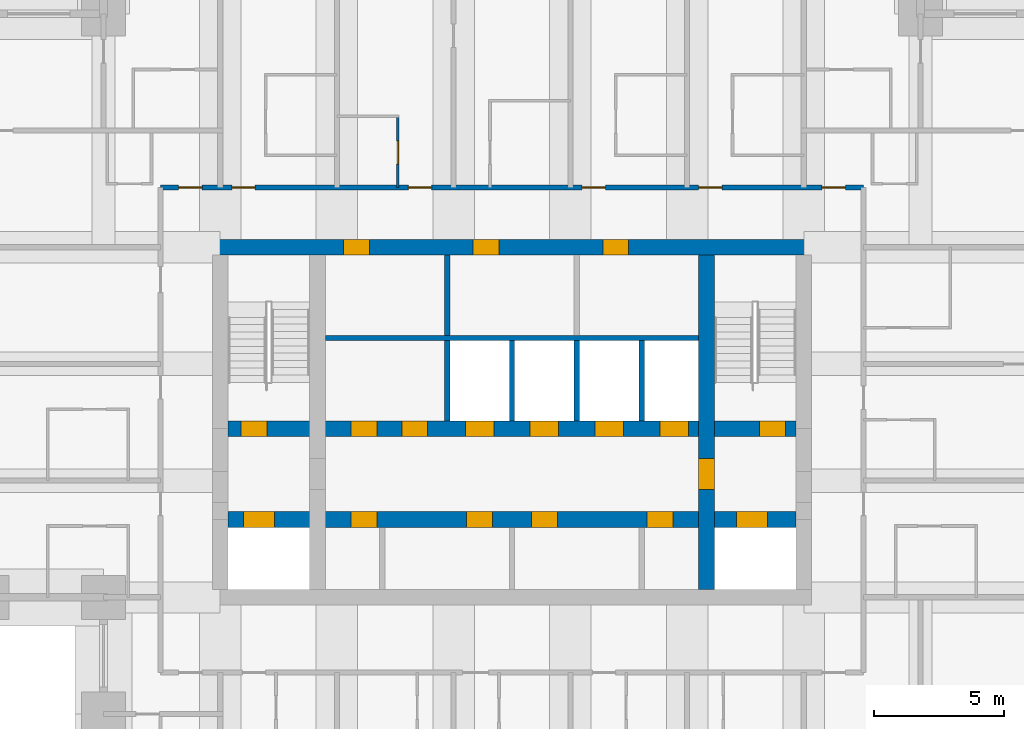
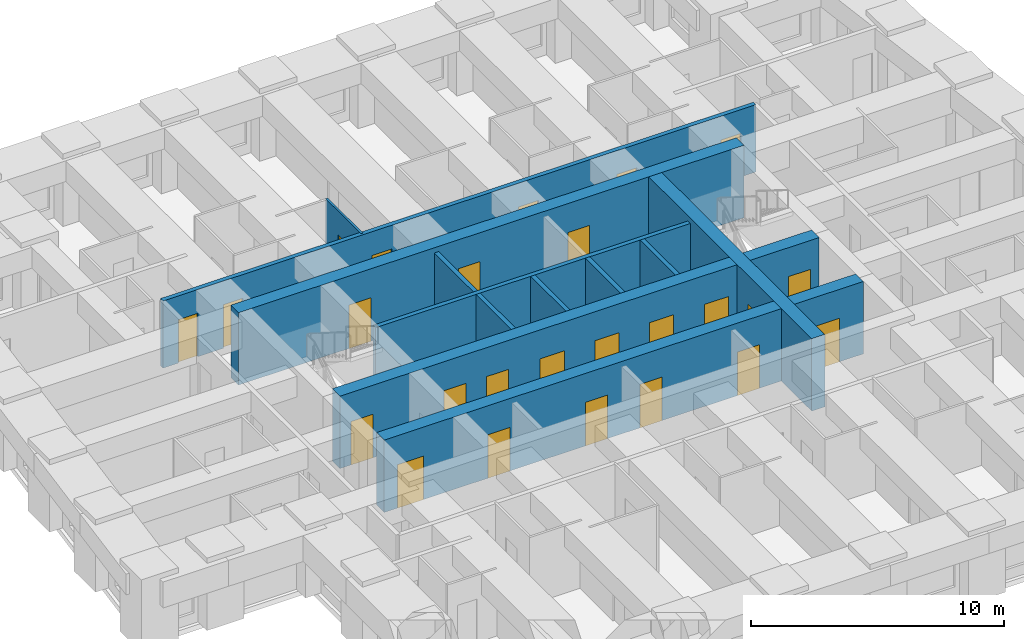
# One storey, part 4 of 8: 25 doors, 12 walls, 25 openings.
"""IFC4 building model written with IfcOpenShell, lengths in metres."""

from ifc_helpers import new_model, si_unit, direction, frame, frame_2d, origin, place, context, subcontext, project, spatial, rectangle, extrude, material, layer, layer_set, type_object, element, fill, save


model = new_model("IFC4")

# Units and contexts
model_context = context("Model", 3, precision=1e-05, world=origin(), true_north=direction((0.0, 1.0)))
body_context = subcontext(model_context, "Body", "Model", "MODEL_VIEW")
ifc_project = project(units=[si_unit("LENGTHUNIT", "METRE"), si_unit("AREAUNIT", "SQUARE_METRE"), si_unit("VOLUMEUNIT", "CUBIC_METRE"), si_unit("PLANEANGLEUNIT", "RADIAN"), si_unit("MASSUNIT", "GRAM", prefix="KILO")], contexts=[model_context])

# Site, building, storey
site_placement = place(None, origin())
site = spatial("IfcSite", under=ifc_project, at=site_placement, CompositionType="ELEMENT")
building_placement = place(site_placement, origin())
building = spatial("IfcBuilding", under=site, at=building_placement, Name="Kilele Tower Hotel", CompositionType="ELEMENT")
storey_placement = place(building_placement, frame((0.0, 0.0, 162.39990234375)))
storey = spatial("IfcBuildingStorey", under=building, at=storey_placement, Name="L41", CompositionType="ELEMENT", Elevation=162.39990234375)

# Wall, opening, door
ifc_material_1 = material(Name="Moisture-resistant board")
ifc_layer_1 = layer(ifc_material_1, 0.10009765625)
ifc_layer_set_1 = layer_set([ifc_layer_1], Name="Moisture-resistant board")
wall_type_1 = type_object("IfcWallType", Name="Bathroom partition 100", PredefinedType="PLUMBINGWALL", material=ifc_layer_set_1)
wall_1_placement = place(storey_placement, frame((20.35009765625, 29.300048828125, 0.0), z_axis=(0.0, 0.0, 1.0), x_axis=(0.0, 1.0, 0.0)))
wall_1 = element("IfcWall", 1, at=wall_1_placement, inside=storey, type_object=wall_type_1, Name="Bathroom partition 100 L41", PredefinedType="PLUMBINGWALL", context=body_context, shape_type="SweptSolid", body=[
    extrude(rectangle(XDim=2.800048828125, YDim=0.10009765625, at=frame_2d((1.39990234375, 0.0))), origin(), (0.0, 0.0, 1.0), 3.25),
])
opening_1_placement = place(wall_1_placement, frame((1.7998046875, 0.0, 0.0), z_axis=(0.0, 0.0, 1.0), x_axis=(-1.0, 0.0, 0.0)))
opening_1 = element("IfcOpeningElement", 2, at=opening_1_placement, cuts=wall_1, Name="Opening D2A", PredefinedType="OPENING", context=body_context, shape_type="SweptSolid", body=[
    extrude(rectangle(XDim=0.89990234375, YDim=2.10009765625, at=frame_2d((0.449951171875, 1.050048828125))), frame((0.0, 0.06005859375, 0.0), z_axis=(0.0, -1.0, 0.0), x_axis=(1.0, 0.0, 0.0)), (0.0, 0.0, 1.0), 0.1201171875),
])
ifc_material_2 = material(Name="Timber door leaf in hardwood frame", Category="wood")
door_type_1 = type_object("IfcDoorType", Name="Bathroom door 900", OperationType="SINGLE_SWING_LEFT", PredefinedType="DOOR", material=ifc_material_2)
door_1_placement = place(opening_1_placement, origin())
door_1 = element("IfcDoor", 3, at=door_1_placement, inside=storey, type_object=door_type_1, Name="Bathroom door 4110B", OperationType="SINGLE_SWING_RIGHT", OverallHeight=2.10009765625, OverallWidth=0.89990234375, PredefinedType="DOOR", context=body_context, shape_type="SweptSolid", body=[
    extrude(rectangle(XDim=0.89990234375, YDim=2.10009765625, at=frame_2d((0.449951171875, 1.050048828125))), frame((0.0, 0.02490234375, 0.0), z_axis=(0.0, -1.0, 0.0), x_axis=(1.0, 0.0, 0.0)), (0.0, 0.0, 1.0), 0.050048828125),
])
fill(opening_1, door_1)

# Wall, openings, doors
ifc_material_3 = material(Name="Concrete C70/85", Category="concrete")
ifc_layer_2 = layer(ifc_material_3, 0.60009765625)
ifc_layer_set_2 = layer_set([ifc_layer_2], Name="Concrete C70/85")
wall_type_2 = type_object("IfcWallType", Name="Core wall 600 C70/85", PredefinedType="SHEAR", material=ifc_layer_set_2)
wall_2_placement = place(storey_placement, frame((36.300048828125, 27.0, 0.0), z_axis=(0.0, 0.0, 1.0), x_axis=(-1.0, 0.0, 0.0)))
wall_2 = element("IfcWall", 4, at=wall_2_placement, inside=storey, type_object=wall_type_2, Name="Core wall N L41", PredefinedType="SHEAR", context=body_context, shape_type="SweptSolid", body=[
    extrude(rectangle(XDim=23.10009765625, YDim=0.60009765625, at=frame_2d((11.550048828125, 0.0))), origin(), (0.0, 0.0, 1.0), 3.5),
])
opening_2_placement = place(wall_2_placement, frame((17.050048828125, 0.0, 0.0)))
opening_2 = element("IfcOpeningElement", 5, at=opening_2_placement, cuts=wall_2, Name="Opening D6", PredefinedType="OPENING", context=body_context, shape_type="SweptSolid", body=[
    extrude(rectangle(XDim=1.0, YDim=2.10009765625, at=frame_2d((0.5, 1.050048828125))), frame((0.0, 0.31005859375, 0.0), z_axis=(0.0, -1.0, 0.0), x_axis=(1.0, 0.0, 0.0)), (0.0, 0.0, 1.0), 0.6201171875),
])
opening_3_placement = place(wall_2_placement, frame((12.050048828125, 0.0, 0.0)))
opening_3 = element("IfcOpeningElement", 6, at=opening_3_placement, cuts=wall_2, Name="Opening D6", PredefinedType="OPENING", context=body_context, shape_type="SweptSolid", body=[
    extrude(rectangle(XDim=1.0, YDim=2.10009765625, at=frame_2d((0.5, 1.050048828125))), frame((0.0, 0.31005859375, 0.0), z_axis=(0.0, -1.0, 0.0), x_axis=(1.0, 0.0, 0.0)), (0.0, 0.0, 1.0), 0.6201171875),
])
opening_4_placement = place(wall_2_placement, frame((7.050048828125, 0.0, 0.0)))
opening_4 = element("IfcOpeningElement", 7, at=opening_4_placement, cuts=wall_2, Name="Opening D6", PredefinedType="OPENING", context=body_context, shape_type="SweptSolid", body=[
    extrude(rectangle(XDim=1.0, YDim=2.10009765625, at=frame_2d((0.5, 1.050048828125))), frame((0.0, 0.31005859375, 0.0), z_axis=(0.0, -1.0, 0.0), x_axis=(1.0, 0.0, 0.0)), (0.0, 0.0, 1.0), 0.6201171875),
])
ifc_material_4 = material(Name="Timber door leaf in hardwood frame", Category="wood")
door_type_2 = type_object("IfcDoorType", Name="Riser door 1000", OperationType="SINGLE_SWING_LEFT", PredefinedType="DOOR", material=ifc_material_4)
door_2_placement = place(opening_2_placement, origin())
door_2 = element("IfcDoor", 8, at=door_2_placement, inside=storey, type_object=door_type_2, Name="Service riser door L41", OperationType="SINGLE_SWING_RIGHT", OverallHeight=2.10009765625, OverallWidth=1.0, PredefinedType="DOOR", context=body_context, shape_type="SweptSolid", body=[
    extrude(rectangle(XDim=1.0, YDim=2.10009765625, at=frame_2d((0.5, 1.050048828125))), frame((0.0, 0.2998046875, 0.0), z_axis=(0.0, -1.0, 0.0), x_axis=(1.0, 0.0, 0.0)), (0.0, 0.0, 1.0), 0.599609375),
])
fill(opening_2, door_2)
door_3_placement = place(opening_3_placement, origin())
door_3 = element("IfcDoor", 9, at=door_3_placement, inside=storey, type_object=door_type_2, Name="Staff WC door L41", OperationType="SINGLE_SWING_RIGHT", OverallHeight=2.10009765625, OverallWidth=1.0, PredefinedType="DOOR", context=body_context, shape_type="SweptSolid", body=[
    extrude(rectangle(XDim=1.0, YDim=2.10009765625, at=frame_2d((0.5, 1.050048828125))), frame((0.0, 0.2998046875, 0.0), z_axis=(0.0, -1.0, 0.0), x_axis=(1.0, 0.0, 0.0)), (0.0, 0.0, 1.0), 0.599609375),
])
fill(opening_3, door_3)
door_4_placement = place(opening_4_placement, origin())
door_4 = element("IfcDoor", 10, at=door_4_placement, inside=storey, type_object=door_type_2, Name="Electrical riser door L41", OperationType="SINGLE_SWING_RIGHT", OverallHeight=2.10009765625, OverallWidth=1.0, PredefinedType="DOOR", context=body_context, shape_type="SweptSolid", body=[
    extrude(rectangle(XDim=1.0, YDim=2.10009765625, at=frame_2d((0.5, 1.050048828125))), frame((0.0, 0.2998046875, 0.0), z_axis=(0.0, -1.0, 0.0), x_axis=(1.0, 0.0, 0.0)), (0.0, 0.0, 1.0), 0.599609375),
])
fill(opening_4, door_4)

# Wall, opening, door
wall_3_placement = place(storey_placement, frame((32.25, 13.800048828125, 0.0), z_axis=(0.0, 0.0, 1.0), x_axis=(0.0, 1.0, 0.0)))
wall_3 = element("IfcWall", 11, at=wall_3_placement, inside=storey, type_object=wall_type_2, Name="Core wall IE L41", PredefinedType="SHEAR", context=body_context, shape_type="SweptSolid", body=[
    extrude(rectangle(XDim=12.89990234375, YDim=0.60009765625, at=frame_2d((6.449951171875, 0.0))), origin(), (0.0, 0.0, 1.0), 3.5),
])
opening_5_placement = place(wall_3_placement, frame((5.050048828125, 0.0, 0.0), z_axis=(0.0, 0.0, 1.0), x_axis=(-1.0, 0.0, 0.0)))
opening_5 = element("IfcOpeningElement", 12, at=opening_5_placement, cuts=wall_3, Name="Opening D4", PredefinedType="OPENING", context=body_context, shape_type="SweptSolid", body=[
    extrude(rectangle(XDim=1.199951171875, YDim=2.10009765625, at=frame_2d((0.60009765625, 1.050048828125))), frame((0.0, 0.31005859375, 0.0), z_axis=(0.0, -1.0, 0.0), x_axis=(1.0, 0.0, 0.0)), (0.0, 0.0, 1.0), 0.6201171875),
])
ifc_material_5 = material(Name="Timber door leaf in hardwood frame", Category="wood")
door_type_3 = type_object("IfcDoorType", Name="Firefighting lobby door 1200", OperationType="SINGLE_SWING_LEFT", PredefinedType="DOOR", material=ifc_material_5)
door_5_placement = place(opening_5_placement, origin())
door_5 = element("IfcDoor", 13, at=door_5_placement, inside=storey, type_object=door_type_3, Name="Lobby door L41", OperationType="SINGLE_SWING_RIGHT", OverallHeight=2.10009765625, OverallWidth=1.199951171875, PredefinedType="DOOR", context=body_context, shape_type="SweptSolid", body=[
    extrude(rectangle(XDim=1.199951171875, YDim=2.10009765625, at=frame_2d((0.60009765625, 1.050048828125))), frame((0.0, 0.2998046875, 0.0), z_axis=(0.0, -1.0, 0.0), x_axis=(1.0, 0.0, 0.0)), (0.0, 0.0, 1.0), 0.599609375),
])
fill(opening_5, door_5)

# Wall, openings, doors
wall_4_placement = place(storey_placement, frame((13.800048828125, 16.5, 0.0), z_axis=(0.0, 0.0, 1.0), x_axis=(1.0, 0.0, 0.0)))
wall_4 = element("IfcWall", 14, at=wall_4_placement, inside=storey, type_object=wall_type_2, Name="Core wall LS L41", PredefinedType="SHEAR", context=body_context, shape_type="SweptSolid", body=[
    extrude(rectangle(XDim=21.89990234375, YDim=0.60009765625, at=frame_2d((10.949951171875, 0.0))), origin(), (0.0, 0.0, 1.0), 3.5),
])
opening_6_placement = place(wall_4_placement, frame((5.75, 0.0, 0.0), z_axis=(0.0, 0.0, 1.0), x_axis=(-1.0, 0.0, 0.0)))
opening_6 = element("IfcOpeningElement", 15, at=opening_6_placement, cuts=wall_4, Name="Opening D11", PredefinedType="OPENING", context=body_context, shape_type="SweptSolid", body=[
    extrude(rectangle(XDim=1.0, YDim=2.10009765625, at=frame_2d((0.5, 1.050048828125))), frame((0.0, 0.31005859375, 0.0), z_axis=(0.0, -1.0, 0.0), x_axis=(1.0, 0.0, 0.0)), (0.0, 0.0, 1.0), 0.6201171875),
])
opening_7_placement = place(wall_4_placement, frame((10.199951171875, 0.0, 0.0), z_axis=(0.0, 0.0, 1.0), x_axis=(-1.0, 0.0, 0.0)))
opening_7 = element("IfcOpeningElement", 16, at=opening_7_placement, cuts=wall_4, Name="Opening D11", PredefinedType="OPENING", context=body_context, shape_type="SweptSolid", body=[
    extrude(rectangle(XDim=1.0, YDim=2.10009765625, at=frame_2d((0.5, 1.050048828125))), frame((0.0, 0.31005859375, 0.0), z_axis=(0.0, -1.0, 0.0), x_axis=(1.0, 0.0, 0.0)), (0.0, 0.0, 1.0), 0.6201171875),
])
opening_8_placement = place(wall_4_placement, frame((12.699951171875, 0.0, 0.0), z_axis=(0.0, 0.0, 1.0), x_axis=(-1.0, 0.0, 0.0)))
opening_8 = element("IfcOpeningElement", 17, at=opening_8_placement, cuts=wall_4, Name="Opening D11", PredefinedType="OPENING", context=body_context, shape_type="SweptSolid", body=[
    extrude(rectangle(XDim=1.0, YDim=2.10009765625, at=frame_2d((0.5, 1.050048828125))), frame((0.0, 0.31005859375, 0.0), z_axis=(0.0, -1.0, 0.0), x_axis=(1.0, 0.0, 0.0)), (0.0, 0.0, 1.0), 0.6201171875),
])
opening_9_placement = place(wall_4_placement, frame((17.14990234375, 0.0, 0.0), z_axis=(0.0, 0.0, 1.0), x_axis=(-1.0, 0.0, 0.0)))
opening_9 = element("IfcOpeningElement", 18, at=opening_9_placement, cuts=wall_4, Name="Opening D11", PredefinedType="OPENING", context=body_context, shape_type="SweptSolid", body=[
    extrude(rectangle(XDim=1.0, YDim=2.10009765625, at=frame_2d((0.5, 1.050048828125))), frame((0.0, 0.31005859375, 0.0), z_axis=(0.0, -1.0, 0.0), x_axis=(1.0, 0.0, 0.0)), (0.0, 0.0, 1.0), 0.6201171875),
])
opening_10_placement = place(wall_4_placement, frame((0.60009765625, 0.0, 0.0)))
opening_10 = element("IfcOpeningElement", 19, at=opening_10_placement, cuts=wall_4, Name="Opening LD2", PredefinedType="OPENING", context=body_context, shape_type="SweptSolid", body=[
    extrude(rectangle(XDim=1.199951171875, YDim=2.10009765625, at=frame_2d((0.60009765625, 1.050048828125))), frame((0.0, 0.31005859375, 0.0), z_axis=(0.0, -1.0, 0.0), x_axis=(1.0, 0.0, 0.0)), (0.0, 0.0, 1.0), 0.6201171875),
])
opening_11_placement = place(wall_4_placement, frame((19.60009765625, 0.0, 0.0)))
opening_11 = element("IfcOpeningElement", 20, at=opening_11_placement, cuts=wall_4, Name="Opening LD2", PredefinedType="OPENING", context=body_context, shape_type="SweptSolid", body=[
    extrude(rectangle(XDim=1.199951171875, YDim=2.10009765625, at=frame_2d((0.60009765625, 1.050048828125))), frame((0.0, 0.31005859375, 0.0), z_axis=(0.0, -1.0, 0.0), x_axis=(1.0, 0.0, 0.0)), (0.0, 0.0, 1.0), 0.6201171875),
])
ifc_material_6 = material(Name="Timber door leaf in hardwood frame", Category="wood")
door_type_4 = type_object("IfcDoorType", Name="Core store door 1000", OperationType="SINGLE_SWING_LEFT", PredefinedType="DOOR", material=ifc_material_6)
door_6_placement = place(opening_6_placement, origin())
door_6 = element("IfcDoor", 21, at=door_6_placement, inside=storey, type_object=door_type_4, Name="Core room door L1 L41", OperationType="SINGLE_SWING_LEFT", OverallHeight=2.10009765625, OverallWidth=1.0, PredefinedType="DOOR", context=body_context, shape_type="SweptSolid", body=[
    extrude(rectangle(XDim=1.0, YDim=2.10009765625, at=frame_2d((0.5, 1.050048828125))), frame((0.0, 0.2998046875, 0.0), z_axis=(0.0, -1.0, 0.0), x_axis=(1.0, 0.0, 0.0)), (0.0, 0.0, 1.0), 0.599609375),
])
fill(opening_6, door_6)
door_7_placement = place(opening_7_placement, origin())
door_7 = element("IfcDoor", 22, at=door_7_placement, inside=storey, type_object=door_type_4, Name="Core room door L3 L41", OperationType="SINGLE_SWING_LEFT", OverallHeight=2.10009765625, OverallWidth=1.0, PredefinedType="DOOR", context=body_context, shape_type="SweptSolid", body=[
    extrude(rectangle(XDim=1.0, YDim=2.10009765625, at=frame_2d((0.5, 1.050048828125))), frame((0.0, 0.2998046875, 0.0), z_axis=(0.0, -1.0, 0.0), x_axis=(1.0, 0.0, 0.0)), (0.0, 0.0, 1.0), 0.599609375),
])
fill(opening_7, door_7)
door_8_placement = place(opening_8_placement, origin())
door_8 = element("IfcDoor", 23, at=door_8_placement, inside=storey, type_object=door_type_4, Name="Core room door M1 L41", OperationType="SINGLE_SWING_RIGHT", OverallHeight=2.10009765625, OverallWidth=1.0, PredefinedType="DOOR", context=body_context, shape_type="SweptSolid", body=[
    extrude(rectangle(XDim=1.0, YDim=2.10009765625, at=frame_2d((0.5, 1.050048828125))), frame((0.0, 0.2998046875, 0.0), z_axis=(0.0, -1.0, 0.0), x_axis=(1.0, 0.0, 0.0)), (0.0, 0.0, 1.0), 0.599609375),
])
fill(opening_8, door_8)
door_9_placement = place(opening_9_placement, origin())
door_9 = element("IfcDoor", 24, at=door_9_placement, inside=storey, type_object=door_type_4, Name="Core room door M3 L41", OperationType="SINGLE_SWING_RIGHT", OverallHeight=2.10009765625, OverallWidth=1.0, PredefinedType="DOOR", context=body_context, shape_type="SweptSolid", body=[
    extrude(rectangle(XDim=1.0, YDim=2.10009765625, at=frame_2d((0.5, 1.050048828125))), frame((0.0, 0.2998046875, 0.0), z_axis=(0.0, -1.0, 0.0), x_axis=(1.0, 0.0, 0.0)), (0.0, 0.0, 1.0), 0.599609375),
])
fill(opening_9, door_9)
ifc_material_7 = material(Name="Steel lift landing door", Category="steel")
door_type_5 = type_object("IfcDoorType", Name="Firefighting lift landing door 1200", OperationType="SLIDING_TO_LEFT", PredefinedType="DOOR", material=ifc_material_7)
door_10_placement = place(opening_10_placement, origin())
door_10 = element("IfcDoor", 25, at=door_10_placement, inside=storey, type_object=door_type_5, Name="Landing door FFW L41", OperationType="SLIDING_TO_LEFT", OverallHeight=2.10009765625, OverallWidth=1.199951171875, PredefinedType="DOOR", context=body_context, shape_type="SweptSolid", body=[
    extrude(rectangle(XDim=1.199951171875, YDim=2.10009765625, at=frame_2d((0.60009765625, 1.050048828125))), frame((0.0, 0.2998046875, 0.0), z_axis=(0.0, -1.0, 0.0), x_axis=(1.0, 0.0, 0.0)), (0.0, 0.0, 1.0), 0.599609375),
])
fill(opening_10, door_10)
door_11_placement = place(opening_11_placement, origin())
door_11 = element("IfcDoor", 26, at=door_11_placement, inside=storey, type_object=door_type_5, Name="Landing door FFE L41", OperationType="SLIDING_TO_LEFT", OverallHeight=2.10009765625, OverallWidth=1.199951171875, PredefinedType="DOOR", context=body_context, shape_type="SweptSolid", body=[
    extrude(rectangle(XDim=1.199951171875, YDim=2.10009765625, at=frame_2d((0.60009765625, 1.050048828125))), frame((0.0, 0.2998046875, 0.0), z_axis=(0.0, -1.0, 0.0), x_axis=(1.0, 0.0, 0.0)), (0.0, 0.0, 1.0), 0.599609375),
])
fill(opening_11, door_11)

wall_5_placement = place(storey_placement, frame((13.800048828125, 20.0, 0.0), z_axis=(0.0, 0.0, 1.0), x_axis=(1.0, 0.0, 0.0)))
wall_5 = element("IfcWall", 27, at=wall_5_placement, inside=storey, type_object=wall_type_2, Name="Core wall LN L41", PredefinedType="SHEAR", context=body_context, shape_type="SweptSolid", body=[
    extrude(rectangle(XDim=21.89990234375, YDim=0.60009765625, at=frame_2d((10.949951171875, 0.0))), origin(), (0.0, 0.0, 1.0), 3.5),
])
opening_12_placement = place(wall_5_placement, frame((0.5, 0.0, 0.0)))
opening_12 = element("IfcOpeningElement", 28, at=opening_12_placement, cuts=wall_5, Name="Opening D5", PredefinedType="OPENING", context=body_context, shape_type="SweptSolid", body=[
    extrude(rectangle(XDim=1.0, YDim=2.10009765625, at=frame_2d((0.5, 1.050048828125))), frame((0.0, 0.31005859375, 0.0), z_axis=(0.0, -1.0, 0.0), x_axis=(1.0, 0.0, 0.0)), (0.0, 0.0, 1.0), 0.6201171875),
])
opening_13_placement = place(wall_5_placement, frame((20.5, 0.0, 0.0)))
opening_13 = element("IfcOpeningElement", 29, at=opening_13_placement, cuts=wall_5, Name="Opening D5", PredefinedType="OPENING", context=body_context, shape_type="SweptSolid", body=[
    extrude(rectangle(XDim=1.0, YDim=2.10009765625, at=frame_2d((0.5, 1.050048828125))), frame((0.0, 0.31005859375, 0.0), z_axis=(0.0, -1.0, 0.0), x_axis=(1.0, 0.0, 0.0)), (0.0, 0.0, 1.0), 0.6201171875),
])
opening_14_placement = place(wall_5_placement, frame((9.14990234375, 0.0, 0.0)))
opening_14 = element("IfcOpeningElement", 30, at=opening_14_placement, cuts=wall_5, Name="Opening LD1", PredefinedType="OPENING", context=body_context, shape_type="SweptSolid", body=[
    extrude(rectangle(XDim=1.10009765625, YDim=2.10009765625, at=frame_2d((0.550048828125, 1.050048828125))), frame((0.0, 0.31005859375, 0.0), z_axis=(0.0, -1.0, 0.0), x_axis=(1.0, 0.0, 0.0)), (0.0, 0.0, 1.0), 0.6201171875),
])
opening_15_placement = place(wall_5_placement, frame((11.64990234375, 0.0, 0.0)))
opening_15 = element("IfcOpeningElement", 31, at=opening_15_placement, cuts=wall_5, Name="Opening LD1", PredefinedType="OPENING", context=body_context, shape_type="SweptSolid", body=[
    extrude(rectangle(XDim=1.10009765625, YDim=2.10009765625, at=frame_2d((0.550048828125, 1.050048828125))), frame((0.0, 0.31005859375, 0.0), z_axis=(0.0, -1.0, 0.0), x_axis=(1.0, 0.0, 0.0)), (0.0, 0.0, 1.0), 0.6201171875),
])
opening_16_placement = place(wall_5_placement, frame((14.14990234375, 0.0, 0.0)))
opening_16 = element("IfcOpeningElement", 32, at=opening_16_placement, cuts=wall_5, Name="Opening LD1", PredefinedType="OPENING", context=body_context, shape_type="SweptSolid", body=[
    extrude(rectangle(XDim=1.10009765625, YDim=2.10009765625, at=frame_2d((0.550048828125, 1.050048828125))), frame((0.0, 0.31005859375, 0.0), z_axis=(0.0, -1.0, 0.0), x_axis=(1.0, 0.0, 0.0)), (0.0, 0.0, 1.0), 0.6201171875),
])
opening_17_placement = place(wall_5_placement, frame((16.64990234375, 0.0, 0.0)))
opening_17 = element("IfcOpeningElement", 33, at=opening_17_placement, cuts=wall_5, Name="Opening LD1", PredefinedType="OPENING", context=body_context, shape_type="SweptSolid", body=[
    extrude(rectangle(XDim=1.10009765625, YDim=2.10009765625, at=frame_2d((0.550048828125, 1.050048828125))), frame((0.0, 0.31005859375, 0.0), z_axis=(0.0, -1.0, 0.0), x_axis=(1.0, 0.0, 0.0)), (0.0, 0.0, 1.0), 0.6201171875),
])
opening_18_placement = place(wall_5_placement, frame((4.75, 0.0, 0.0)))
opening_18 = element("IfcOpeningElement", 34, at=opening_18_placement, cuts=wall_5, Name="Opening D11", PredefinedType="OPENING", context=body_context, shape_type="SweptSolid", body=[
    extrude(rectangle(XDim=1.0, YDim=2.10009765625, at=frame_2d((0.5, 1.050048828125))), frame((0.0, 0.31005859375, 0.0), z_axis=(0.0, -1.0, 0.0), x_axis=(1.0, 0.0, 0.0)), (0.0, 0.0, 1.0), 0.6201171875),
])
opening_19_placement = place(wall_5_placement, frame((6.699951171875, 0.0, 0.0)))
opening_19 = element("IfcOpeningElement", 35, at=opening_19_placement, cuts=wall_5, Name="Opening D11", PredefinedType="OPENING", context=body_context, shape_type="SweptSolid", body=[
    extrude(rectangle(XDim=1.0, YDim=2.10009765625, at=frame_2d((0.5, 1.050048828125))), frame((0.0, 0.31005859375, 0.0), z_axis=(0.0, -1.0, 0.0), x_axis=(1.0, 0.0, 0.0)), (0.0, 0.0, 1.0), 0.6201171875),
])
door_12_placement = place(opening_18_placement, origin())
door_12 = element("IfcDoor", 36, at=door_12_placement, inside=storey, type_object=door_type_4, Name="Core room door S1 L41", OperationType="SINGLE_SWING_LEFT", OverallHeight=2.10009765625, OverallWidth=1.0, PredefinedType="DOOR", context=body_context, shape_type="SweptSolid", body=[
    extrude(rectangle(XDim=1.0, YDim=2.10009765625, at=frame_2d((0.5, 1.050048828125))), frame((0.0, 0.2998046875, 0.0), z_axis=(0.0, -1.0, 0.0), x_axis=(1.0, 0.0, 0.0)), (0.0, 0.0, 1.0), 0.599609375),
])
fill(opening_18, door_12)
door_13_placement = place(opening_19_placement, origin())
door_13 = element("IfcDoor", 37, at=door_13_placement, inside=storey, type_object=door_type_4, Name="Core room door S2 L41", OperationType="SINGLE_SWING_RIGHT", OverallHeight=2.10009765625, OverallWidth=1.0, PredefinedType="DOOR", context=body_context, shape_type="SweptSolid", body=[
    extrude(rectangle(XDim=1.0, YDim=2.10009765625, at=frame_2d((0.5, 1.050048828125))), frame((0.0, 0.2998046875, 0.0), z_axis=(0.0, -1.0, 0.0), x_axis=(1.0, 0.0, 0.0)), (0.0, 0.0, 1.0), 0.599609375),
])
fill(opening_19, door_13)
ifc_material_8 = material(Name="Steel lift landing door", Category="steel")
door_type_6 = type_object("IfcDoorType", Name="Lift landing door 1100", OperationType="SLIDING_TO_LEFT", PredefinedType="DOOR", material=ifc_material_8)
door_14_placement = place(opening_14_placement, origin())
door_14 = element("IfcDoor", 38, at=door_14_placement, inside=storey, type_object=door_type_6, Name="Landing door H1 L41", OperationType="SLIDING_TO_LEFT", OverallHeight=2.10009765625, OverallWidth=1.10009765625, PredefinedType="DOOR", context=body_context, shape_type="SweptSolid", body=[
    extrude(rectangle(XDim=1.10009765625, YDim=2.10009765625, at=frame_2d((0.550048828125, 1.050048828125))), frame((0.0, 0.2998046875, 0.0), z_axis=(0.0, -1.0, 0.0), x_axis=(1.0, 0.0, 0.0)), (0.0, 0.0, 1.0), 0.599609375),
])
fill(opening_14, door_14)
door_15_placement = place(opening_15_placement, origin())
door_15 = element("IfcDoor", 39, at=door_15_placement, inside=storey, type_object=door_type_6, Name="Landing door H2 L41", OperationType="SLIDING_TO_LEFT", OverallHeight=2.10009765625, OverallWidth=1.10009765625, PredefinedType="DOOR", context=body_context, shape_type="SweptSolid", body=[
    extrude(rectangle(XDim=1.10009765625, YDim=2.10009765625, at=frame_2d((0.550048828125, 1.050048828125))), frame((0.0, 0.2998046875, 0.0), z_axis=(0.0, -1.0, 0.0), x_axis=(1.0, 0.0, 0.0)), (0.0, 0.0, 1.0), 0.599609375),
])
fill(opening_15, door_15)
door_16_placement = place(opening_16_placement, origin())
door_16 = element("IfcDoor", 40, at=door_16_placement, inside=storey, type_object=door_type_6, Name="Landing door H3 L41", OperationType="SLIDING_TO_LEFT", OverallHeight=2.10009765625, OverallWidth=1.10009765625, PredefinedType="DOOR", context=body_context, shape_type="SweptSolid", body=[
    extrude(rectangle(XDim=1.10009765625, YDim=2.10009765625, at=frame_2d((0.550048828125, 1.050048828125))), frame((0.0, 0.2998046875, 0.0), z_axis=(0.0, -1.0, 0.0), x_axis=(1.0, 0.0, 0.0)), (0.0, 0.0, 1.0), 0.599609375),
])
fill(opening_16, door_16)
door_17_placement = place(opening_17_placement, origin())
door_17 = element("IfcDoor", 41, at=door_17_placement, inside=storey, type_object=door_type_6, Name="Landing door G1 L41", OperationType="SLIDING_TO_LEFT", OverallHeight=2.10009765625, OverallWidth=1.10009765625, PredefinedType="DOOR", context=body_context, shape_type="SweptSolid", body=[
    extrude(rectangle(XDim=1.10009765625, YDim=2.10009765625, at=frame_2d((0.550048828125, 1.050048828125))), frame((0.0, 0.2998046875, 0.0), z_axis=(0.0, -1.0, 0.0), x_axis=(1.0, 0.0, 0.0)), (0.0, 0.0, 1.0), 0.599609375),
])
fill(opening_17, door_17)
ifc_material_9 = material(Name="Timber door leaf in hardwood frame", Category="wood")
door_type_7 = type_object("IfcDoorType", Name="Stair door 1000", OperationType="SINGLE_SWING_LEFT", PredefinedType="DOOR", material=ifc_material_9)
door_18_placement = place(opening_12_placement, origin())
door_18 = element("IfcDoor", 42, at=door_18_placement, inside=storey, type_object=door_type_7, Name="Stair 1 door L41", OperationType="SINGLE_SWING_LEFT", OverallHeight=2.10009765625, OverallWidth=1.0, PredefinedType="DOOR", context=body_context, shape_type="SweptSolid", body=[
    extrude(rectangle(XDim=1.0, YDim=2.10009765625, at=frame_2d((0.5, 1.050048828125))), frame((0.0, 0.2998046875, 0.0), z_axis=(0.0, -1.0, 0.0), x_axis=(1.0, 0.0, 0.0)), (0.0, 0.0, 1.0), 0.599609375),
])
fill(opening_12, door_18)
door_19_placement = place(opening_13_placement, origin())
door_19 = element("IfcDoor", 43, at=door_19_placement, inside=storey, type_object=door_type_7, Name="Stair 2 door L41", OperationType="SINGLE_SWING_RIGHT", OverallHeight=2.10009765625, OverallWidth=1.0, PredefinedType="DOOR", context=body_context, shape_type="SweptSolid", body=[
    extrude(rectangle(XDim=1.0, YDim=2.10009765625, at=frame_2d((0.5, 1.050048828125))), frame((0.0, 0.2998046875, 0.0), z_axis=(0.0, -1.0, 0.0), x_axis=(1.0, 0.0, 0.0)), (0.0, 0.0, 1.0), 0.599609375),
])
fill(opening_13, door_19)

ifc_material_10 = material(Name="Blockwork, plastered both sides", Category="masonry")
ifc_layer_3 = layer(ifc_material_10, 0.199951171875)
ifc_layer_set_3 = layer_set([ifc_layer_3], Name="Blockwork, plastered both sides")
wall_type_3 = type_object("IfcWallType", Name="Corridor wall 200", PredefinedType="PARTITIONING", material=ifc_layer_set_3)
wall_6_placement = place(storey_placement, frame((11.199951171875, 29.300048828125, 0.0), z_axis=(0.0, 0.0, 1.0), x_axis=(1.0, 0.0, 0.0)))
wall_6 = element("IfcWall", 44, at=wall_6_placement, inside=storey, type_object=wall_type_3, Name="Corridor wall 200 L41", PredefinedType="PARTITIONING", context=body_context, shape_type="SweptSolid", body=[
    extrude(rectangle(XDim=27.10009765625, YDim=0.199951171875, at=frame_2d((13.550048828125, 0.0))), origin(), (0.0, 0.0, 1.0), 3.25),
])
opening_20_placement = place(wall_6_placement, frame((2.75, 0.0, 0.0)))
opening_20 = element("IfcOpeningElement", 45, at=opening_20_placement, cuts=wall_6, Name="Opening D1", PredefinedType="OPENING", context=body_context, shape_type="SweptSolid", body=[
    extrude(rectangle(XDim=0.89990234375, YDim=2.10009765625, at=frame_2d((0.449951171875, 1.050048828125))), frame((0.0, 0.10986328125, 0.0), z_axis=(0.0, -1.0, 0.0), x_axis=(1.0, 0.0, 0.0)), (0.0, 0.0, 1.0), 0.219970703125),
])
opening_21_placement = place(wall_6_placement, frame((9.550048828125, 0.0, 0.0)))
opening_21 = element("IfcOpeningElement", 46, at=opening_21_placement, cuts=wall_6, Name="Opening D1", PredefinedType="OPENING", context=body_context, shape_type="SweptSolid", body=[
    extrude(rectangle(XDim=0.89990234375, YDim=2.10009765625, at=frame_2d((0.449951171875, 1.050048828125))), frame((0.0, 0.10986328125, 0.0), z_axis=(0.0, -1.0, 0.0), x_axis=(1.0, 0.0, 0.0)), (0.0, 0.0, 1.0), 0.219970703125),
])
opening_22_placement = place(wall_6_placement, frame((16.25, 0.0, 0.0)))
opening_22 = element("IfcOpeningElement", 47, at=opening_22_placement, cuts=wall_6, Name="Opening D1", PredefinedType="OPENING", context=body_context, shape_type="SweptSolid", body=[
    extrude(rectangle(XDim=0.89990234375, YDim=2.10009765625, at=frame_2d((0.449951171875, 1.050048828125))), frame((0.0, 0.10986328125, 0.0), z_axis=(0.0, -1.0, 0.0), x_axis=(1.0, 0.0, 0.0)), (0.0, 0.0, 1.0), 0.219970703125),
])
opening_23_placement = place(wall_6_placement, frame((20.75, 0.0, 0.0)))
opening_23 = element("IfcOpeningElement", 48, at=opening_23_placement, cuts=wall_6, Name="Opening D1", PredefinedType="OPENING", context=body_context, shape_type="SweptSolid", body=[
    extrude(rectangle(XDim=0.89990234375, YDim=2.10009765625, at=frame_2d((0.449951171875, 1.050048828125))), frame((0.0, 0.10986328125, 0.0), z_axis=(0.0, -1.0, 0.0), x_axis=(1.0, 0.0, 0.0)), (0.0, 0.0, 1.0), 0.219970703125),
])
opening_24_placement = place(wall_6_placement, frame((25.5, 0.0, 0.0)))
opening_24 = element("IfcOpeningElement", 49, at=opening_24_placement, cuts=wall_6, Name="Opening D1", PredefinedType="OPENING", context=body_context, shape_type="SweptSolid", body=[
    extrude(rectangle(XDim=0.89990234375, YDim=2.10009765625, at=frame_2d((0.449951171875, 1.050048828125))), frame((0.0, 0.10986328125, 0.0), z_axis=(0.0, -1.0, 0.0), x_axis=(1.0, 0.0, 0.0)), (0.0, 0.0, 1.0), 0.219970703125),
])
opening_25_placement = place(wall_6_placement, frame((0.699951171875, 0.0, 0.0)))
opening_25 = element("IfcOpeningElement", 50, at=opening_25_placement, cuts=wall_6, Name="Opening D1", PredefinedType="OPENING", context=body_context, shape_type="SweptSolid", body=[
    extrude(rectangle(XDim=0.89990234375, YDim=2.10009765625, at=frame_2d((0.449951171875, 1.050048828125))), frame((0.0, 0.10986328125, 0.0), z_axis=(0.0, -1.0, 0.0), x_axis=(1.0, 0.0, 0.0)), (0.0, 0.0, 1.0), 0.219970703125),
])
ifc_material_11 = material(Name="Timber door leaf in hardwood frame", Category="wood")
door_type_8 = type_object("IfcDoorType", Name="Guest room entrance door 900", OperationType="SINGLE_SWING_LEFT", PredefinedType="DOOR", material=ifc_material_11)
door_20_placement = place(opening_20_placement, origin())
door_20 = element("IfcDoor", 51, at=door_20_placement, inside=storey, type_object=door_type_8, Name="Room entrance 4109", OperationType="SINGLE_SWING_LEFT", OverallHeight=2.10009765625, OverallWidth=0.89990234375, PredefinedType="DOOR", context=body_context, shape_type="SweptSolid", body=[
    extrude(rectangle(XDim=0.89990234375, YDim=2.10009765625, at=frame_2d((0.449951171875, 1.050048828125))), frame((0.0, 0.02490234375, 0.0), z_axis=(0.0, -1.0, 0.0), x_axis=(1.0, 0.0, 0.0)), (0.0, 0.0, 1.0), 0.050048828125),
])
fill(opening_20, door_20)
door_21_placement = place(opening_21_placement, origin())
door_21 = element("IfcDoor", 52, at=door_21_placement, inside=storey, type_object=door_type_8, Name="Room entrance 4110", OperationType="SINGLE_SWING_LEFT", OverallHeight=2.10009765625, OverallWidth=0.89990234375, PredefinedType="DOOR", context=body_context, shape_type="SweptSolid", body=[
    extrude(rectangle(XDim=0.89990234375, YDim=2.10009765625, at=frame_2d((0.449951171875, 1.050048828125))), frame((0.0, 0.02490234375, 0.0), z_axis=(0.0, -1.0, 0.0), x_axis=(1.0, 0.0, 0.0)), (0.0, 0.0, 1.0), 0.050048828125),
])
fill(opening_21, door_21)
door_22_placement = place(opening_22_placement, origin())
door_22 = element("IfcDoor", 53, at=door_22_placement, inside=storey, type_object=door_type_8, Name="Room entrance 4112", OperationType="SINGLE_SWING_LEFT", OverallHeight=2.10009765625, OverallWidth=0.89990234375, PredefinedType="DOOR", context=body_context, shape_type="SweptSolid", body=[
    extrude(rectangle(XDim=0.89990234375, YDim=2.10009765625, at=frame_2d((0.449951171875, 1.050048828125))), frame((0.0, 0.02490234375, 0.0), z_axis=(0.0, -1.0, 0.0), x_axis=(1.0, 0.0, 0.0)), (0.0, 0.0, 1.0), 0.050048828125),
])
fill(opening_22, door_22)
door_23_placement = place(opening_23_placement, origin())
door_23 = element("IfcDoor", 54, at=door_23_placement, inside=storey, type_object=door_type_8, Name="Room entrance 4113", OperationType="SINGLE_SWING_LEFT", OverallHeight=2.10009765625, OverallWidth=0.89990234375, PredefinedType="DOOR", context=body_context, shape_type="SweptSolid", body=[
    extrude(rectangle(XDim=0.89990234375, YDim=2.10009765625, at=frame_2d((0.449951171875, 1.050048828125))), frame((0.0, 0.02490234375, 0.0), z_axis=(0.0, -1.0, 0.0), x_axis=(1.0, 0.0, 0.0)), (0.0, 0.0, 1.0), 0.050048828125),
])
fill(opening_23, door_23)
door_24_placement = place(opening_24_placement, origin())
door_24 = element("IfcDoor", 55, at=door_24_placement, inside=storey, type_object=door_type_8, Name="Room entrance 4122", OperationType="SINGLE_SWING_LEFT", OverallHeight=2.10009765625, OverallWidth=0.89990234375, PredefinedType="DOOR", context=body_context, shape_type="SweptSolid", body=[
    extrude(rectangle(XDim=0.89990234375, YDim=2.10009765625, at=frame_2d((0.449951171875, 1.050048828125))), frame((0.0, 0.02490234375, 0.0), z_axis=(0.0, -1.0, 0.0), x_axis=(1.0, 0.0, 0.0)), (0.0, 0.0, 1.0), 0.050048828125),
])
fill(opening_24, door_24)
door_25_placement = place(opening_25_placement, origin())
door_25 = element("IfcDoor", 56, at=door_25_placement, inside=storey, type_object=door_type_8, Name="Room entrance 4125", OperationType="SINGLE_SWING_RIGHT", OverallHeight=2.10009765625, OverallWidth=0.89990234375, PredefinedType="DOOR", context=body_context, shape_type="SweptSolid", body=[
    extrude(rectangle(XDim=0.89990234375, YDim=2.10009765625, at=frame_2d((0.449951171875, 1.050048828125))), frame((0.0, 0.02490234375, 0.0), z_axis=(0.0, -1.0, 0.0), x_axis=(1.0, 0.0, 0.0)), (0.0, 0.0, 1.0), 0.050048828125),
])
fill(opening_25, door_25)

# Walls
ifc_material_12 = material(Name="Blockwork, fire-rated", Category="masonry")
ifc_layer_4 = layer(ifc_material_12, 0.199951171875)
ifc_layer_set_4 = layer_set([ifc_layer_4], Name="Blockwork, fire-rated")
wall_type_4 = type_object("IfcWallType", Name="Shaft wall 200", PredefinedType="PARTITIONING", material=ifc_layer_set_4)
for number, where, z_axis, x_axis, name in (
    (57, (22.25, 20.300048828125, 0.0), (0.0, 0.0, 1.0), (0.0, 1.0, 0.0), "Shaft wall 200 L41"),
    (58, (24.75, 20.300048828125, 0.0), (0.0, 0.0, 1.0), (0.0, 1.0, 0.0), "Shaft wall 200 L41"),
    (59, (27.25, 20.300048828125, 0.0), (0.0, 0.0, 1.0), (0.0, 1.0, 0.0), "Shaft wall 200 L41"),
    (60, (29.75, 20.300048828125, 0.0), (0.0, 0.0, 1.0), (0.0, 1.0, 0.0), "Shaft wall 200 L41"),
):
    element("IfcWall", number, at=place(storey_placement, frame(where, z_axis=z_axis, x_axis=x_axis)), inside=storey, type_object=wall_type_4, Name=name, PredefinedType="PARTITIONING", context=body_context, shape_type="SweptSolid", body=[
        extrude(rectangle(XDim=3.099853515625, YDim=0.199951171875, at=frame_2d((1.5498046875, 0.0))), origin(), (0.0, 0.0, 1.0), 3.25),
    ])
wall_7_placement = place(storey_placement, frame((17.550048828125, 23.5, 0.0), z_axis=(0.0, 0.0, 1.0), x_axis=(1.0, 0.0, 0.0)))
element("IfcWall", 61, at=wall_7_placement, inside=storey, type_object=wall_type_4, Name="Shaft wall 200 L41", PredefinedType="PARTITIONING", context=body_context, shape_type="SweptSolid", body=[
    extrude(rectangle(XDim=14.39990234375, YDim=0.199951171875, at=frame_2d((7.199951171875, 0.0))), origin(), (0.0, 0.0, 1.0), 3.25),
])
wall_8_placement = place(storey_placement, frame((22.25, 23.60009765625, 0.0), z_axis=(0.0, 0.0, 1.0), x_axis=(0.0, 1.0, 0.0)))
element("IfcWall", 62, at=wall_8_placement, inside=storey, type_object=wall_type_4, Name="Shaft wall 200 L41", PredefinedType="PARTITIONING", context=body_context, shape_type="SweptSolid", body=[
    extrude(rectangle(XDim=3.099853515625, YDim=0.199951171875, at=frame_2d((1.5498046875, 0.0))), origin(), (0.0, 0.0, 1.0), 3.25),
])

save(model, "model.ifc")
